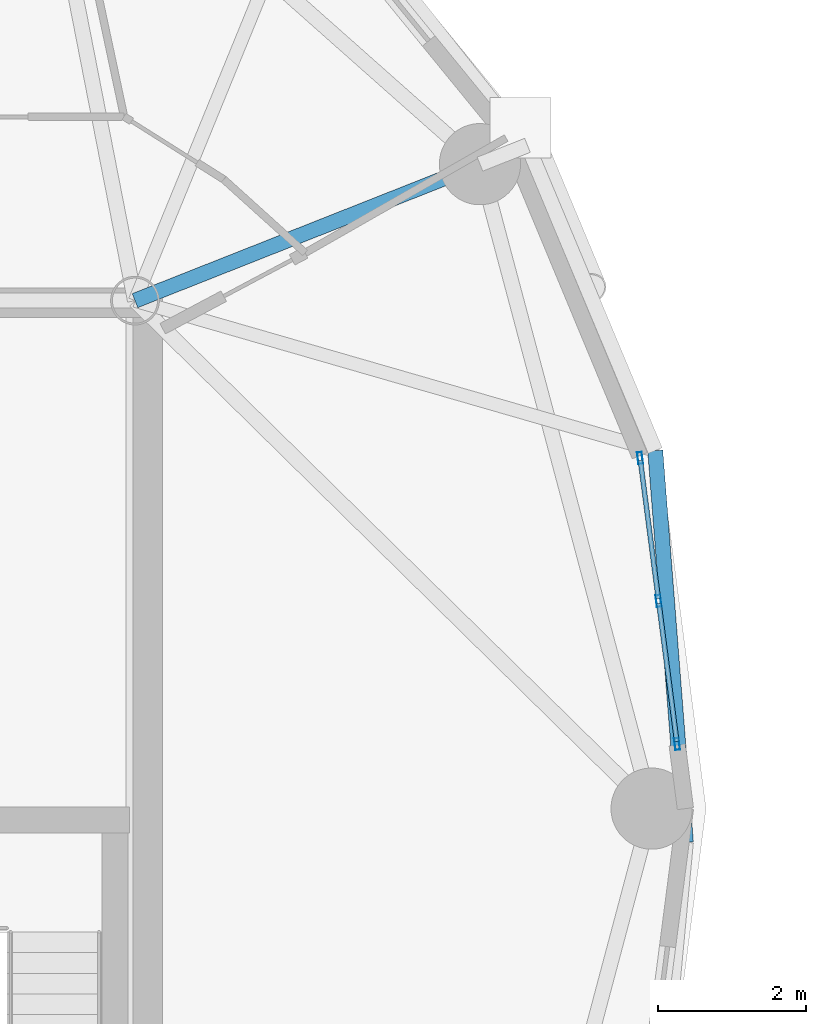
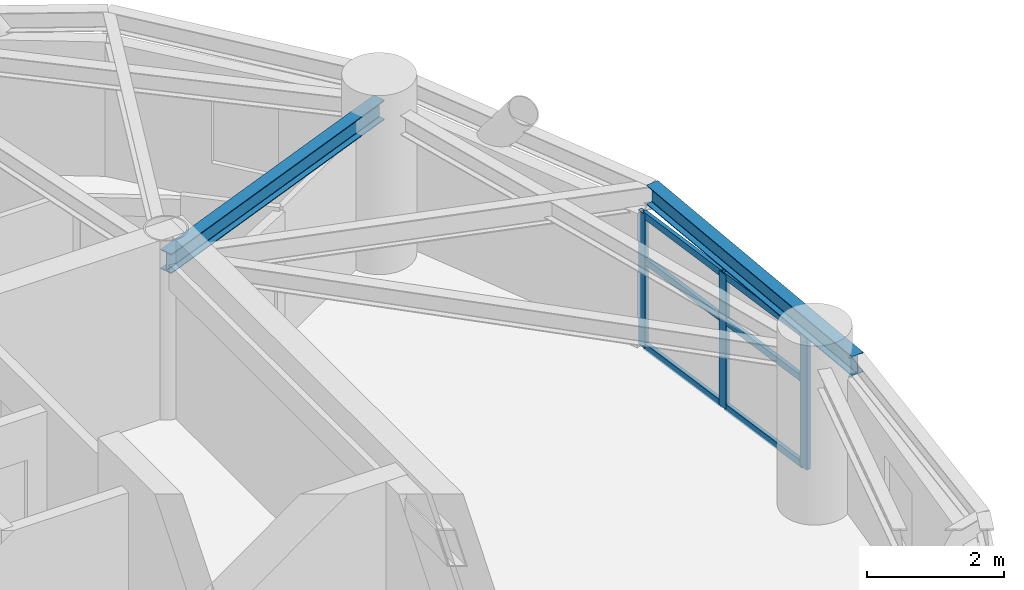
# One storey, part 3 of 15: 9 members, 2 beams, 1 element without a shape of its own.
"""IFC4 building model written with IfcOpenShell, lengths in metres."""

from ifc_helpers import new_model, si_unit, direction, frame, origin, origin_2d, place, context, subcontext, project, spatial, hollow_rectangle, i_section, extrude, material, layer, layer_set, material_profile, profile_set, type_object, element, aggregate, save


model = new_model("IFC4")

# Units and contexts
model_context = context("Model", 3, precision=1e-05, world=origin(), true_north=direction((0.0, 1.0)))
body_context = subcontext(model_context, "Body", "Model", "MODEL_VIEW")
ifc_project = project(units=[si_unit("LENGTHUNIT", "METRE"), si_unit("AREAUNIT", "SQUARE_METRE"), si_unit("VOLUMEUNIT", "CUBIC_METRE"), si_unit("PLANEANGLEUNIT", "RADIAN"), si_unit("MASSUNIT", "GRAM", prefix="KILO")], contexts=[model_context])

# Site, building, storey
site_placement = place(None, origin())
site = spatial("IfcSite", under=ifc_project, at=site_placement, CompositionType="ELEMENT")
building_placement = place(site_placement, origin())
building = spatial("IfcBuilding", under=site, at=building_placement, Name="Cununo Teusaquillo Station Towers", CompositionType="ELEMENT")
storey_placement = place(building_placement, frame((0.0, 0.0, 232.449951171875)))
storey = spatial("IfcBuildingStorey", under=building, at=storey_placement, Name="L74", CompositionType="ELEMENT", Elevation=232.449951171875)

# Beams
ifc_material_1 = material(Name="Steel ASTM A572 Grade 50", Category="steel")
ifc_material_profile_1 = material_profile(ifc_material_1, i_section(OverallWidth=0.2041015625, OverallDepth=0.35009765625, WebThickness=0.008544921875, FlangeThickness=0.01513671875, FilletRadius=0.011962890625, at=origin_2d()), Name="W14X48")
ifc_profile_set_1 = profile_set([ifc_material_profile_1], Name="Steel ASTM A572 Grade 50")
beam_type_1 = type_object("IfcBeamType", Name="BM-RAD-G3", PredefinedType="BEAM", material=ifc_profile_set_1)
beam_1_placement = place(storey_placement, frame((21.675048828125, 31.3798828125, 2.60498046875), z_axis=(0.929864104313, 0.367903176814, 0.0), x_axis=(-0.367903176814, 0.929864104313, 0.0)))
element("IfcBeam", 1, at=beam_1_placement, inside=storey, type_object=beam_type_1, Name="L74 Tower A Radial Girder 02A", PredefinedType="BEAM", context=body_context, shape_type="SweptSolid", body=[
    extrude(i_section(OverallWidth=0.2041015625, OverallDepth=0.35009765625, WebThickness=0.008544921875, FlangeThickness=0.01513671875, FilletRadius=0.011962890625, at=origin_2d()), origin(), (0.0, 0.0, 1.0), 5.02490234375),
])
ifc_material_2 = material(Name="Steel ASTM A572 Grade 50", Category="steel")
ifc_material_profile_2 = material_profile(ifc_material_2, i_section(OverallWidth=0.2041015625, OverallDepth=0.35009765625, WebThickness=0.008544921875, FlangeThickness=0.01513671875, FilletRadius=0.011962890625, at=origin_2d()), Name="W14X48")
ifc_profile_set_2 = profile_set([ifc_material_profile_2], Name="Steel ASTM A572 Grade 50")
beam_type_2 = type_object("IfcBeamType", Name="BM-RING-Z4", PredefinedType="SPANDREL", material=ifc_profile_set_2)
beam_2_placement = place(storey_placement, frame((29.135498046875, 24.044189453125, 2.60498046875), z_axis=(-0.077871988965, 0.996963366095, 0.0), x_axis=(-0.996963366095, -0.077871988965, 0.0)))
element("IfcBeam", 2, at=beam_2_placement, inside=storey, type_object=beam_type_2, Name="L74 Tower A Spandrel Ring Beam 01", PredefinedType="SPANDREL", context=body_context, shape_type="SweptSolid", body=[
    extrude(i_section(OverallWidth=0.2041015625, OverallDepth=0.35009765625, WebThickness=0.008544921875, FlangeThickness=0.01513671875, FilletRadius=0.011962890625, at=origin_2d()), origin(), (0.0, 0.0, 1.0), 5.3203125),
])

# Curtain wall, members
ifc_material_3 = material(Name="Ceramic-fritted dark low-E double glazing", Category="glass")
ifc_layer = layer(ifc_material_3, 0.179931640625)
ifc_layer_set = layer_set([ifc_layer], Name="Ceramic-fritted dark low-E double glazing")
curtain_wall_type = type_object("IfcCurtainWallType", Name="CW-SYS-07", PredefinedType="USERDEFINED", material=ifc_layer_set)
curtain_wall_placement = place(storey_placement, origin())
curtain_wall = element("IfcCurtainWall", 3, at=curtain_wall_placement, inside=storey, type_object=curtain_wall_type, Name="L74 Tower A Facade Curtain Wall C00", ObjectType="FRITTED GLAZING", PredefinedType="USERDEFINED")
ifc_material_4 = material(Name="Anodised dark bronze aluminium EN AW-6063-T6", Category="aluminium")
ifc_material_profile_3 = material_profile(ifc_material_4, hollow_rectangle(XDim=0.06494140625, YDim=0.159912109375, WallThickness=0.00390625, at=origin_2d()), Name="CW-MULL-65x160")
ifc_profile_set_3 = profile_set([ifc_material_profile_3], Name="Anodised dark bronze aluminium EN AW-6063-T6")
member_type_1 = type_object("IfcMemberType", Name="CWM-160", PredefinedType="MULLION", material=ifc_profile_set_3)
member_1_placement = place(storey_placement, frame((28.515869140625, 29.248291015625, 0.0), z_axis=(0.0, 0.0, 1.0), x_axis=(0.991741528461, 0.12825264413, 0.0)))
member_1 = element("IfcMember", 4, at=member_1_placement, type_object=member_type_1, Name="CW-07 mullion 1", PredefinedType="MULLION", context=body_context, shape_type="SweptSolid", body=[
    extrude(hollow_rectangle(XDim=0.06494140625, YDim=0.159912109375, WallThickness=0.00390625, at=origin_2d()), origin(), (0.0, 0.0, 1.0), 2.402099609375),
])
member_2_placement = place(storey_placement, frame((28.766357421875, 27.311767578125, 0.0), z_axis=(0.0, 0.0, 1.0), x_axis=(0.991741528461, 0.12825264413, 0.0)))
member_2 = element("IfcMember", 5, at=member_2_placement, type_object=member_type_1, Name="CW-07 mullion 2", PredefinedType="MULLION", context=body_context, shape_type="SweptSolid", body=[
    extrude(hollow_rectangle(XDim=0.06494140625, YDim=0.159912109375, WallThickness=0.00390625, at=origin_2d()), origin(), (0.0, 0.0, 1.0), 2.402099609375),
])
member_3_placement = place(storey_placement, frame((29.016845703125, 25.375244140625, 0.0), z_axis=(0.0, 0.0, 1.0), x_axis=(0.991741528461, 0.12825264413, 0.0)))
member_3 = element("IfcMember", 6, at=member_3_placement, type_object=member_type_1, Name="CW-07 mullion 3", PredefinedType="MULLION", context=body_context, shape_type="SweptSolid", body=[
    extrude(hollow_rectangle(XDim=0.06494140625, YDim=0.159912109375, WallThickness=0.00390625, at=origin_2d()), origin(), (0.0, 0.0, 1.0), 2.402099609375),
])
ifc_material_5 = material(Name="Anodised dark bronze aluminium EN AW-6063-T6", Category="aluminium")
ifc_material_profile_4 = material_profile(ifc_material_5, hollow_rectangle(XDim=0.06494140625, YDim=0.1201171875, WallThickness=0.00390625, at=origin_2d()), Name="CW-TRAN-65x120")
ifc_profile_set_4 = profile_set([ifc_material_profile_4], Name="Anodised dark bronze aluminium EN AW-6063-T6")
member_type_2 = type_object("IfcMemberType", Name="CWT-120", PredefinedType="USERDEFINED", material=ifc_profile_set_4)
member_4_placement = place(storey_placement, frame((28.52001953125, 29.216064453125, 0.032470703125), z_axis=(0.128299630595, -0.99173545101, 0.0), x_axis=(0.99173545101, 0.128299630595, 0.0)))
member_4 = element("IfcMember", 7, at=member_4_placement, type_object=member_type_2, Name="CW-07 transom 1.1", ObjectType="TRANSOM", PredefinedType="USERDEFINED", context=body_context, shape_type="SweptSolid", body=[
    extrude(hollow_rectangle(XDim=0.06494140625, YDim=0.1201171875, WallThickness=0.00390625, at=origin_2d()), origin(), (0.0, 0.0, 1.0), 1.8876953125),
])
member_5_placement = place(storey_placement, frame((28.52001953125, 29.216064453125, 1.56103515625), z_axis=(0.128299630595, -0.99173545101, 0.0), x_axis=(0.99173545101, 0.128299630595, 0.0)))
member_5 = element("IfcMember", 8, at=member_5_placement, type_object=member_type_2, Name="CW-07 transom 1.2", ObjectType="TRANSOM", PredefinedType="USERDEFINED", context=body_context, shape_type="SweptSolid", body=[
    extrude(hollow_rectangle(XDim=0.06494140625, YDim=0.1201171875, WallThickness=0.00390625, at=origin_2d()), origin(), (0.0, 0.0, 1.0), 1.8876953125),
])
member_6_placement = place(storey_placement, frame((28.52001953125, 29.216064453125, 2.36962890625), z_axis=(0.128299630595, -0.99173545101, 0.0), x_axis=(0.99173545101, 0.128299630595, 0.0)))
member_6 = element("IfcMember", 9, at=member_6_placement, type_object=member_type_2, Name="CW-07 transom 1.3", ObjectType="TRANSOM", PredefinedType="USERDEFINED", context=body_context, shape_type="SweptSolid", body=[
    extrude(hollow_rectangle(XDim=0.06494140625, YDim=0.1201171875, WallThickness=0.00390625, at=origin_2d()), origin(), (0.0, 0.0, 1.0), 1.8876953125),
])
member_7_placement = place(storey_placement, frame((28.7705078125, 27.279541015625, 0.032470703125), z_axis=(0.128299630595, -0.99173545101, 0.0), x_axis=(0.99173545101, 0.128299630595, 0.0)))
member_7 = element("IfcMember", 10, at=member_7_placement, type_object=member_type_2, Name="CW-07 transom 2.1", ObjectType="TRANSOM", PredefinedType="USERDEFINED", context=body_context, shape_type="SweptSolid", body=[
    extrude(hollow_rectangle(XDim=0.06494140625, YDim=0.1201171875, WallThickness=0.00390625, at=origin_2d()), origin(), (0.0, 0.0, 1.0), 1.8876953125),
])
member_8_placement = place(storey_placement, frame((28.7705078125, 27.279541015625, 1.56103515625), z_axis=(0.128299630595, -0.99173545101, 0.0), x_axis=(0.99173545101, 0.128299630595, 0.0)))
member_8 = element("IfcMember", 11, at=member_8_placement, type_object=member_type_2, Name="CW-07 transom 2.2", ObjectType="TRANSOM", PredefinedType="USERDEFINED", context=body_context, shape_type="SweptSolid", body=[
    extrude(hollow_rectangle(XDim=0.06494140625, YDim=0.1201171875, WallThickness=0.00390625, at=origin_2d()), origin(), (0.0, 0.0, 1.0), 1.8876953125),
])
member_9_placement = place(storey_placement, frame((28.7705078125, 27.279541015625, 2.36962890625), z_axis=(0.128299630595, -0.99173545101, 0.0), x_axis=(0.99173545101, 0.128299630595, 0.0)))
member_9 = element("IfcMember", 12, at=member_9_placement, type_object=member_type_2, Name="CW-07 transom 2.3", ObjectType="TRANSOM", PredefinedType="USERDEFINED", context=body_context, shape_type="SweptSolid", body=[
    extrude(hollow_rectangle(XDim=0.06494140625, YDim=0.1201171875, WallThickness=0.00390625, at=origin_2d()), origin(), (0.0, 0.0, 1.0), 1.8876953125),
])
aggregate(curtain_wall, [member_1, member_2, member_3, member_4, member_5, member_6, member_7, member_8, member_9])

save(model, "model.ifc")
